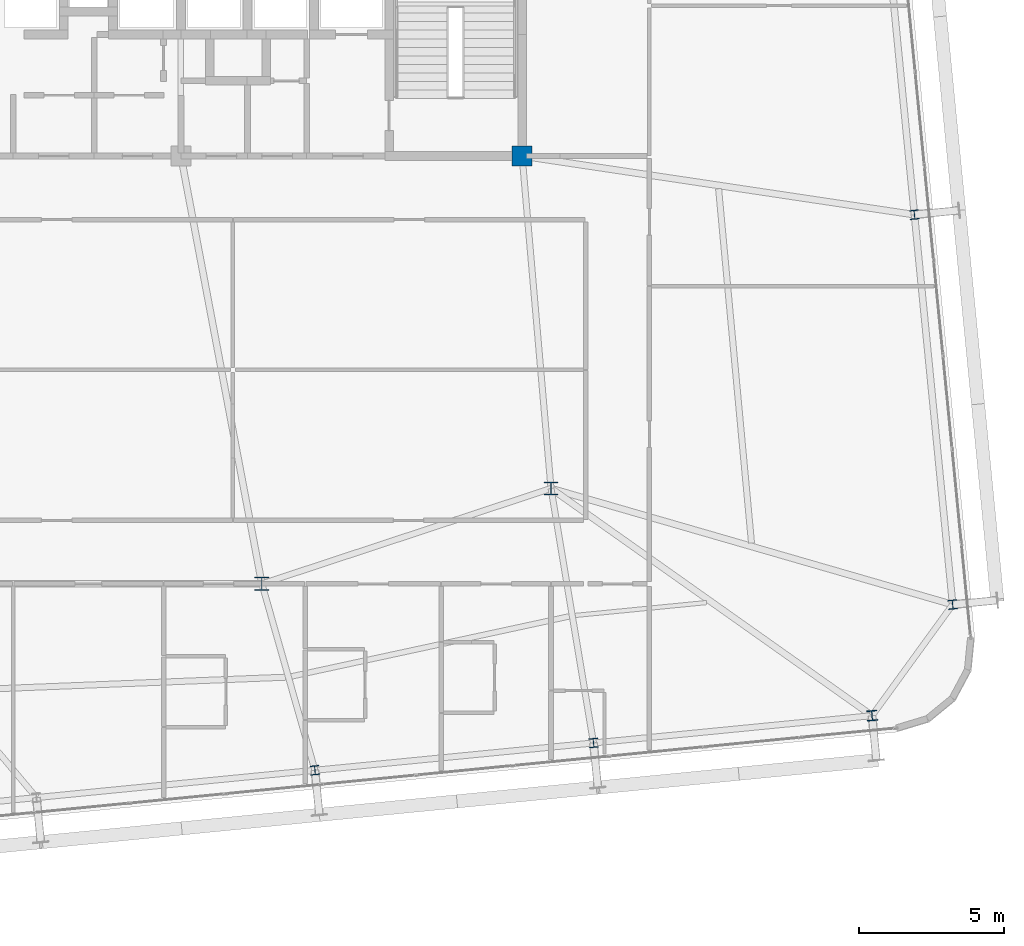
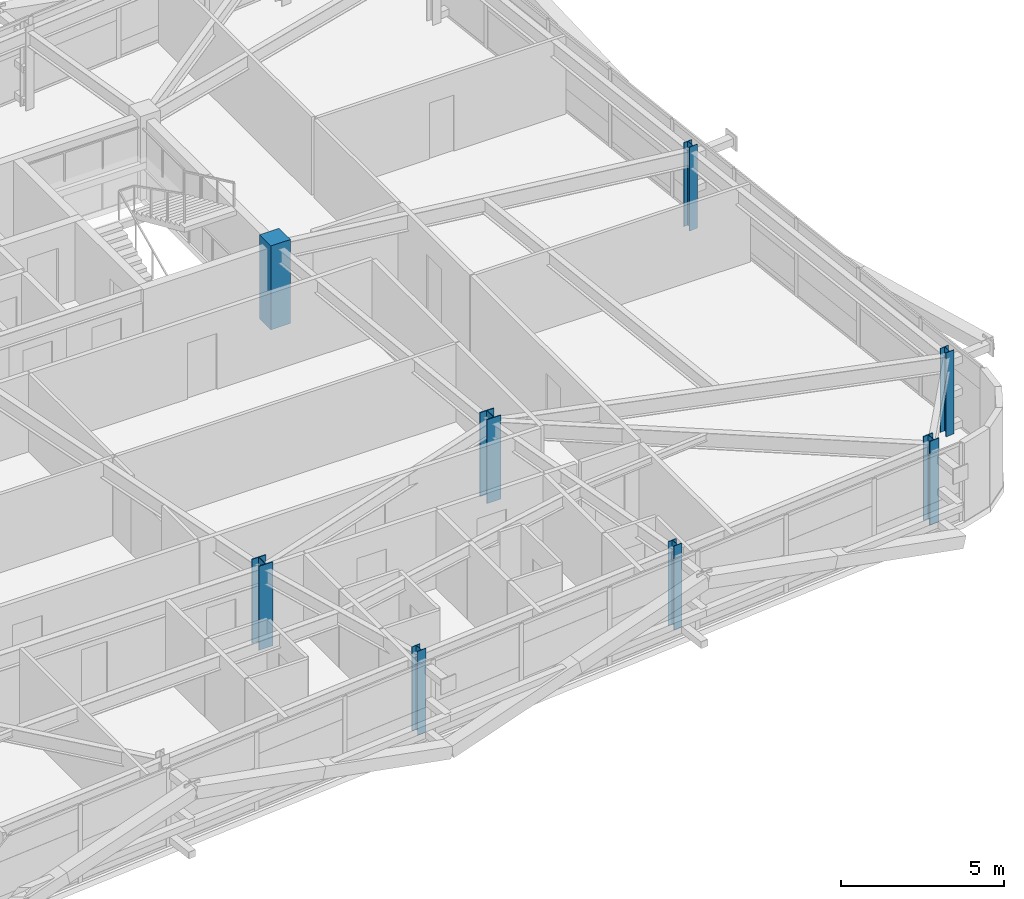
# One storey, part 2 of 54: 8 columns.
"""IFC4 building model written with IfcOpenShell, lengths in metres."""

from ifc_helpers import new_model, si_unit, direction, frame, origin, origin_2d, place, context, subcontext, project, spatial, rectangle, i_section, extrude, source, transform, mapped, material, material_profile, profile_set, type_object, element, save


model = new_model("IFC4")

# Units and contexts
model_context = context("Model", 3, precision=1e-05, world=origin(), true_north=direction((0.0, 1.0)))
body_context = subcontext(model_context, "Body", "Model", "MODEL_VIEW")
ifc_project = project(units=[si_unit("LENGTHUNIT", "METRE"), si_unit("AREAUNIT", "SQUARE_METRE"), si_unit("VOLUMEUNIT", "CUBIC_METRE"), si_unit("PLANEANGLEUNIT", "RADIAN"), si_unit("MASSUNIT", "GRAM", prefix="KILO")], contexts=[model_context])

# Site, building, storey
site_placement = place(None, origin())
site = spatial("IfcSite", under=ifc_project, at=site_placement, CompositionType="ELEMENT")
building_placement = place(site_placement, origin())
building = spatial("IfcBuilding", under=site, at=building_placement, Name="Taldren Reach Tower", CompositionType="ELEMENT")
storey_placement = place(building_placement, frame((0.0, 0.0, 102.89990234375)))
storey = spatial("IfcBuildingStorey", under=building, at=storey_placement, Name="L31", CompositionType="ELEMENT", Elevation=102.89990234375)

# Columns
ifc_material_1 = material(Name="Steel Gr 350 (350PLUS)", Category="steel")
ifc_material_profile_1 = material_profile(ifc_material_1, i_section(OverallWidth=0.5, OverallDepth=0.464111328125, WebThickness=0.02197265625, FlangeThickness=0.033935546875, at=origin_2d()), Name="500WC340")
ifc_profile_set_1 = profile_set([ifc_material_profile_1], Name="Steel Gr 350 (350PLUS)")
column_type_1 = type_object("IfcColumnType", Name="COL-WC500B", PredefinedType="COLUMN", material=ifc_profile_set_1)
shared_shape_1 = source(origin(), body_context, "Body", "SweptSolid", [
    extrude(i_section(OverallWidth=0.5, OverallDepth=0.464111328125, WebThickness=0.02197265625, FlangeThickness=0.033935546875, at=origin_2d()), origin(), (0.0, 0.0, 1.0), 3.150146484375),
])
for number, where, z_axis, x_axis, name in (
    (1, (42.0, 9.199951171875, 0.0), (0.0, 0.0, 1.0), (1.0, 0.0, 0.0), "Mega column MC-PJE L31"),
    (2, (52.0, 12.5, 0.0), (0.0, 0.0, 1.0), (1.0, 0.0, 0.0), "Mega column MC-SE L31"),
):
    element("IfcColumn", number, at=place(storey_placement, frame(where, z_axis=z_axis, x_axis=x_axis)), inside=storey, type_object=column_type_1, Name=name, PredefinedType="COLUMN", context=body_context, shape_type="MappedRepresentation", body=[
        mapped(shared_shape_1, transform((0.0, 0.0, 0.0), scale=1.0)),
    ])
ifc_material_2 = material(Name="Concrete S65 (65 MPa)", Category="concrete")
ifc_material_profile_2 = material_profile(ifc_material_2, rectangle(XDim=0.699951171875, YDim=0.699951171875, at=origin_2d()), Name="RC-700x700")
ifc_profile_set_2 = profile_set([ifc_material_profile_2], Name="Concrete S65 (65 MPa)")
column_type_2 = type_object("IfcColumnType", Name="COL-RC700", PredefinedType="COLUMN", material=ifc_profile_set_2)
shared_shape_2 = source(origin(), body_context, "Body", "SweptSolid", [
    extrude(rectangle(XDim=0.699951171875, YDim=0.699951171875, at=origin_2d()), origin(), (0.0, 0.0, 1.0), 3.150146484375),
])
column_1_placement = place(storey_placement, frame((51.0, 24.0, 0.0), z_axis=(0.0, 0.0, 1.0), x_axis=(1.0, 0.0, 0.0)))
element("IfcColumn", 3, at=column_1_placement, inside=storey, type_object=column_type_2, Name="Mega column MC-C4 L31", PredefinedType="COLUMN", context=body_context, shape_type="MappedRepresentation", body=[
    mapped(shared_shape_2, transform((0.0, 0.0, 0.0), scale=1.0)),
])
ifc_material_profile_3 = material_profile(ifc_material_1, i_section(OverallWidth=0.35009765625, OverallDepth=0.35595703125, WebThickness=0.01806640625, FlangeThickness=0.028076171875, at=origin_2d()), Name="350WC197")
ifc_profile_set_3 = profile_set([ifc_material_profile_3], Name="Steel Gr 350 (350PLUS)")
column_type_3 = type_object("IfcColumnType", Name="COL-WC350", PredefinedType="COLUMN", material=ifc_profile_set_3)
shared_shape_3 = source(origin(), body_context, "Body", "SweptSolid", [
    extrude(i_section(OverallWidth=0.35009765625, OverallDepth=0.35595703125, WebThickness=0.01806640625, FlangeThickness=0.028076171875, at=origin_2d()), origin(), (0.0, 0.0, 1.0), 3.150146484375),
])
column_2_placement = place(storey_placement, frame((63.103271484375, 4.64306640625, 0.0), z_axis=(0.0, 0.0, 1.0), x_axis=(0.995227399982, 0.097582899759, 0.0)))
element("IfcColumn", 4, at=column_2_placement, inside=storey, type_object=column_type_3, Name="Block B2 perimeter column S6 L31", PredefinedType="COLUMN", context=body_context, shape_type="MappedRepresentation", body=[
    mapped(shared_shape_3, transform((0.0, 0.0, 0.0), scale=1.0)),
])
ifc_material_profile_4 = material_profile(ifc_material_1, i_section(OverallWidth=0.306884765625, OverallDepth=0.31494140625, WebThickness=0.011962890625, FlangeThickness=0.018798828125, at=origin_2d()), Name="310UC118")
ifc_profile_set_4 = profile_set([ifc_material_profile_4], Name="Steel Gr 350 (350PLUS)")
column_type_4 = type_object("IfcColumnType", Name="COL-UC310B", PredefinedType="COLUMN", material=ifc_profile_set_4)
shared_shape_4 = source(origin(), body_context, "Body", "SweptSolid", [
    extrude(i_section(OverallWidth=0.306884765625, OverallDepth=0.31494140625, WebThickness=0.011962890625, FlangeThickness=0.018798828125, at=origin_2d()), origin(), (0.0, 0.0, 1.0), 3.150146484375),
])
for number, where, z_axis, x_axis, name in (
    (5, (43.83544921875, 2.75390625, 0.0), (0.0, 0.0, 1.0), (0.995227399982, 0.097582899759, 0.0), "Block B2 perimeter column S4 L31"),
    (6, (53.469482421875, 3.698486328125, 0.0), (0.0, 0.0, 1.0), (0.995227399982, 0.097582899759, 0.0), "Block B2 perimeter column S5 L31"),
    (7, (65.8916015625, 8.483642578125, 0.0), (0.0, 0.0, 1.0), (0.995227399982, 0.097582899759, 0.0), "Block B2 perimeter column E1 L31"),
    (8, (64.569580078125, 21.968994140625, 0.0), (0.0, 0.0, 1.0), (0.995227399982, 0.097582899759, 0.0), "Block B2 perimeter column E2 L31"),
):
    element("IfcColumn", number, at=place(storey_placement, frame(where, z_axis=z_axis, x_axis=x_axis)), inside=storey, type_object=column_type_4, Name=name, PredefinedType="COLUMN", context=body_context, shape_type="MappedRepresentation", body=[
        mapped(shared_shape_4, transform((0.0, 0.0, 0.0), scale=1.0)),
    ])

save(model, "model.ifc")
